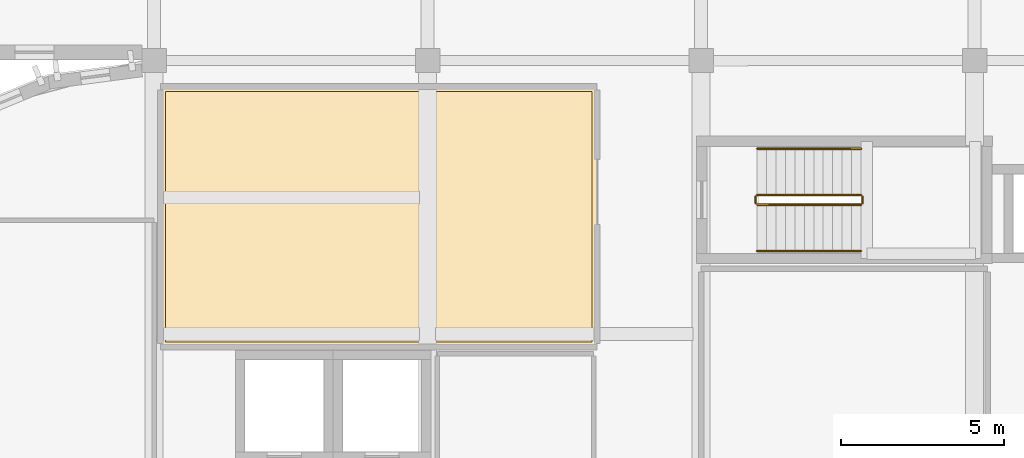
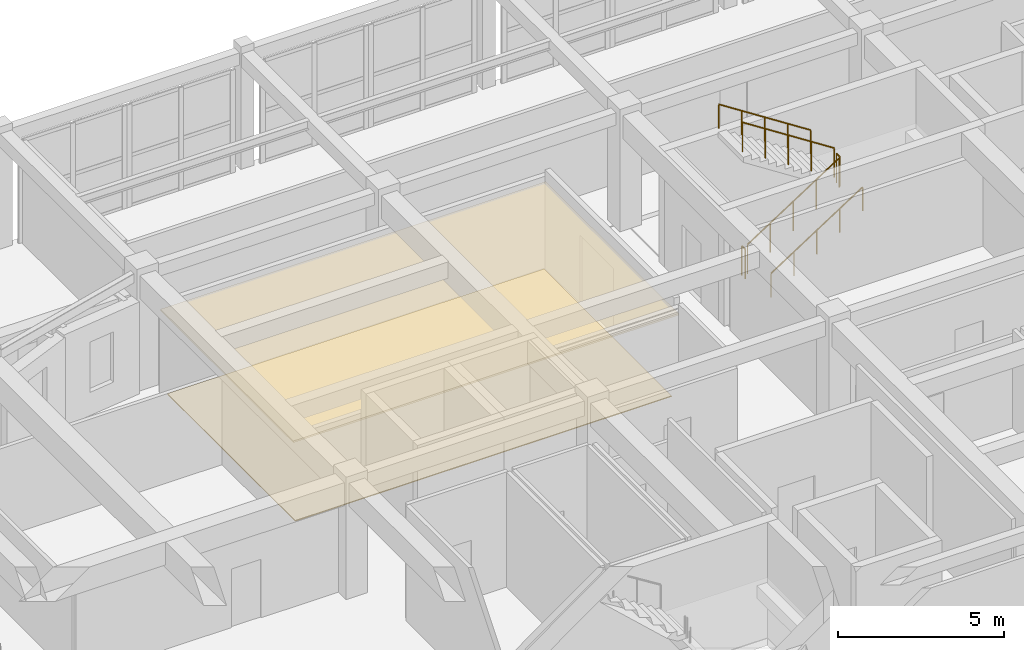
# One storey, part 89 of 91: 6 railings, 2 coverings.
"""IFC4 building model written with IfcOpenShell, lengths in metres."""

from ifc_helpers import new_model, si_unit, direction, frame, origin, origin_2d, place, context, subcontext, project, spatial, polyline, circle, outline, extrude, material, layer, layer_set, type_object, element, save


model = new_model("IFC4")

# Units and contexts
model_context = context("Model", 3, precision=1e-05, world=origin(), true_north=direction((0.0, 1.0)))
body_context = subcontext(model_context, "Body", "Model", "MODEL_VIEW")
ifc_project = project(units=[si_unit("LENGTHUNIT", "METRE"), si_unit("AREAUNIT", "SQUARE_METRE"), si_unit("VOLUMEUNIT", "CUBIC_METRE"), si_unit("PLANEANGLEUNIT", "RADIAN"), si_unit("MASSUNIT", "GRAM", prefix="KILO")], contexts=[model_context])

# Site, building, storey
site_placement = place(None, origin())
site = spatial("IfcSite", under=ifc_project, at=site_placement, CompositionType="ELEMENT")
building_placement = place(site_placement, origin())
building = spatial("IfcBuilding", under=site, at=building_placement, Name="Tarnavel Promenade Courthouse", CompositionType="ELEMENT")
storey_placement = place(building_placement, frame((0.0, 0.0, 9.89990234375)))
storey = spatial("IfcBuildingStorey", under=building, at=storey_placement, Name="L03", CompositionType="ELEMENT", Elevation=9.89990234375)

# Railings
ifc_material_1 = material(Name="Brushed Bronze Tubular Stair Handrail")
railing_type_1 = type_object("IfcRailingType", Name="Brushed Bronze Tubular Stair Handrail (RL-HND-0900)", PredefinedType="HANDRAIL", material=ifc_material_1)
railing_1_placement = place(storey_placement, frame((77.320068359375, 98.550048828125, 0.1875)))
element("IfcRailing", 1, at=railing_1_placement, inside=storey, type_object=railing_type_1, Name="L03 ST-03 stair handrail 1", PredefinedType="HANDRAIL", context=body_context, shape_type="SweptSolid", body=[
    extrude(circle(Radius=0.02392578125, at=origin_2d()), frame((0.0, 0.0, 0.8759765625), z_axis=(0.839759782654, 0.0, 0.542958108362), x_axis=(0.0, 1.0, 0.0)), (0.0, 0.0, 1.0), 3.798583984375),
    extrude(circle(Radius=0.02099609375, at=origin_2d()), origin(), (0.0, 0.0, 1.0), 0.851806640625),
    extrude(circle(Radius=0.02099609375, at=origin_2d()), frame((0.79736328125, 0.0, 0.515625)), (0.0, 0.0, 1.0), 0.851806640625),
    extrude(circle(Radius=0.02099609375, at=origin_2d()), frame((1.594970703125, 0.0, 1.03125)), (0.0, 0.0, 1.0), 0.851806640625),
    extrude(circle(Radius=0.02099609375, at=origin_2d()), frame((2.392578125, 0.0, 1.546875)), (0.0, 0.0, 1.0), 0.851806640625),
    extrude(circle(Radius=0.02099609375, at=origin_2d()), frame((3.18994140625, 0.0, 2.0625)), (0.0, 0.0, 1.0), 0.851806640625),
])
railing_2_placement = place(storey_placement, frame((80.510009765625, 101.68994140625, 2.4375)))
element("IfcRailing", 2, at=railing_2_placement, inside=storey, type_object=railing_type_1, Name="L03 ST-03 stair handrail 2", PredefinedType="HANDRAIL", context=body_context, shape_type="SweptSolid", body=[
    extrude(circle(Radius=0.02392578125, at=origin_2d()), frame((0.0, 0.0, 0.8759765625), z_axis=(-0.839759782654, 0.0, 0.542958108362), x_axis=(0.0, -1.0, 0.0)), (0.0, 0.0, 1.0), 3.798583984375),
    extrude(circle(Radius=0.02099609375, at=origin_2d()), origin(), (0.0, 0.0, 1.0), 0.851806640625),
    extrude(circle(Radius=0.02099609375, at=origin_2d()), frame((-0.79736328125, 0.0, 0.515625)), (0.0, 0.0, 1.0), 0.851806640625),
    extrude(circle(Radius=0.02099609375, at=origin_2d()), frame((-1.594970703125, 0.0, 1.03125)), (0.0, 0.0, 1.0), 0.851806640625),
    extrude(circle(Radius=0.02099609375, at=origin_2d()), frame((-2.392578125, 0.0, 1.546875)), (0.0, 0.0, 1.0), 0.851806640625),
    extrude(circle(Radius=0.02099609375, at=origin_2d()), frame((-3.18994140625, 0.0, 2.0625)), (0.0, 0.0, 1.0), 0.851806640625),
])

# Covering
ifc_material_2 = material(Name="Engineered Smoked Oak Courtroom & Chambers Parquet")
ifc_layer_1 = layer(ifc_material_2, 0.031982421875)
ifc_layer_set_1 = layer_set([ifc_layer_1], Name="Engineered Smoked Oak Courtroom & Chambers Parquet")
covering_type_1 = type_object("IfcCoveringType", Name="Engineered Smoked Oak Courtroom & Chambers Parquet (COV-FLR-OAK-32)", PredefinedType="FLOORING", material=ifc_layer_set_1)
covering_1_placement = place(storey_placement, origin())
element("IfcCovering", 3, at=covering_1_placement, inside=storey, type_object=covering_type_1, Name="L03 High Criminal Hearing Courtroom Architectural Flooring 0023", PredefinedType="FLOORING", context=body_context, shape_type="SweptSolid", body=[
    extrude(outline(polyline([(59.14990234375, 95.75), (72.25, 95.75), (72.25, 103.449951171875), (59.14990234375, 103.449951171875), (59.14990234375, 95.75)])), origin(), (0.0, 0.0, 1.0), 0.031982421875),
])

# Railings
ifc_material_3 = material(Name="Painted Architectural Steel Core Stair Guardrail", Category="steel")
railing_type_2 = type_object("IfcRailingType", Name="Painted Architectural Steel Core Stair Guardrail (RL-GRD-1100)", PredefinedType="GUARDRAIL", material=ifc_material_3)
railing_3_placement = place(storey_placement, frame((77.320068359375, 99.969970703125, 0.1875)))
element("IfcRailing", 4, at=railing_3_placement, inside=storey, type_object=railing_type_2, Name="L03 ST-03 stair guard 1", PredefinedType="GUARDRAIL", context=body_context, shape_type="SweptSolid", body=[
    extrude(circle(Radius=0.02392578125, at=origin_2d()), frame((0.0, 0.0, 1.076171875), z_axis=(0.839759782654, 0.0, 0.542958108362), x_axis=(0.0, 1.0, 0.0)), (0.0, 0.0, 1.0), 3.798583984375),
    extrude(circle(Radius=0.02099609375, at=origin_2d()), origin(), (0.0, 0.0, 1.0), 1.052001953125),
    extrude(circle(Radius=0.02099609375, at=origin_2d()), frame((0.79736328125, 0.0, 0.515625)), (0.0, 0.0, 1.0), 1.052001953125),
    extrude(circle(Radius=0.02099609375, at=origin_2d()), frame((1.594970703125, 0.0, 1.03125)), (0.0, 0.0, 1.0), 1.052001953125),
    extrude(circle(Radius=0.02099609375, at=origin_2d()), frame((2.392578125, 0.0, 1.546875)), (0.0, 0.0, 1.0), 1.052001953125),
    extrude(circle(Radius=0.02099609375, at=origin_2d()), frame((3.18994140625, 0.0, 2.0625)), (0.0, 0.0, 1.0), 1.052001953125),
])
railing_4_placement = place(storey_placement, frame((80.56005859375, 100.02001953125, 2.25)))
element("IfcRailing", 5, at=railing_4_placement, inside=storey, type_object=railing_type_2, Name="L03 ST-03 stair guard 2", PredefinedType="GUARDRAIL", context=body_context, shape_type="SweptSolid", body=[
    extrude(circle(Radius=0.02392578125, at=origin_2d()), frame((0.0, 0.0, 1.076171875), z_axis=(0.0, 1.0, 0.0), x_axis=(-1.0, 0.0, 0.0)), (0.0, 0.0, 1.0), 0.199951171875),
    extrude(circle(Radius=0.02099609375, at=origin_2d()), origin(), (0.0, 0.0, 1.0), 1.052001953125),
    extrude(circle(Radius=0.02099609375, at=origin_2d()), frame((0.0, 0.199951171875, 0.0)), (0.0, 0.0, 1.0), 1.052001953125),
])
railing_5_placement = place(storey_placement, frame((80.510009765625, 100.27001953125, 2.4375)))
element("IfcRailing", 6, at=railing_5_placement, inside=storey, type_object=railing_type_2, Name="L03 ST-03 stair guard 3", PredefinedType="GUARDRAIL", context=body_context, shape_type="SweptSolid", body=[
    extrude(circle(Radius=0.02392578125, at=origin_2d()), frame((0.0, 0.0, 1.076171875), z_axis=(-0.839759782654, 0.0, 0.542958108362), x_axis=(0.0, -1.0, 0.0)), (0.0, 0.0, 1.0), 3.798583984375),
    extrude(circle(Radius=0.02099609375, at=origin_2d()), origin(), (0.0, 0.0, 1.0), 1.052001953125),
    extrude(circle(Radius=0.02099609375, at=origin_2d()), frame((-0.79736328125, 0.0, 0.515625)), (0.0, 0.0, 1.0), 1.052001953125),
    extrude(circle(Radius=0.02099609375, at=origin_2d()), frame((-1.594970703125, 0.0, 1.03125)), (0.0, 0.0, 1.0), 1.052001953125),
    extrude(circle(Radius=0.02099609375, at=origin_2d()), frame((-2.392578125, 0.0, 1.546875)), (0.0, 0.0, 1.0), 1.052001953125),
    extrude(circle(Radius=0.02099609375, at=origin_2d()), frame((-3.18994140625, 0.0, 2.0625)), (0.0, 0.0, 1.0), 1.052001953125),
])
railing_6_placement = place(storey_placement, frame((77.27001953125, 100.02001953125, 0.0)))
element("IfcRailing", 7, at=railing_6_placement, inside=storey, type_object=railing_type_2, Name="L03 ST-03 stair guard 4", PredefinedType="GUARDRAIL", context=body_context, shape_type="SweptSolid", body=[
    extrude(circle(Radius=0.02392578125, at=origin_2d()), frame((0.0, 0.0, 1.076171875), z_axis=(0.0, 1.0, 0.0), x_axis=(-1.0, 0.0, 0.0)), (0.0, 0.0, 1.0), 0.199951171875),
    extrude(circle(Radius=0.02099609375, at=origin_2d()), origin(), (0.0, 0.0, 1.0), 1.052001953125),
    extrude(circle(Radius=0.02099609375, at=origin_2d()), frame((0.0, 0.199951171875, 0.0)), (0.0, 0.0, 1.0), 1.052001953125),
])

# Covering
ifc_material_4 = material(Name="Slatted Acoustic White Oak Baffle Ceiling")
ifc_layer_2 = layer(ifc_material_4, 0.06494140625)
ifc_layer_set_2 = layer_set([ifc_layer_2], Name="Slatted Acoustic White Oak Baffle Ceiling")
covering_type_2 = type_object("IfcCoveringType", Name="Slatted Acoustic White Oak Baffle Ceiling (COV-CLG-OAK-65)", PredefinedType="CEILING", material=ifc_layer_set_2)
covering_2_placement = place(storey_placement, frame((0.0, 0.0, 3.03515625)))
element("IfcCovering", 8, at=covering_2_placement, inside=storey, type_object=covering_type_2, Name="L03 High Criminal Hearing Courtroom Acoustic Ceiling 0023", PredefinedType="CEILING", context=body_context, shape_type="SweptSolid", body=[
    extrude(outline(polyline([(59.0, 95.60009765625), (72.39990234375, 95.60009765625), (72.39990234375, 103.60009765625), (59.0, 103.60009765625), (59.0, 95.60009765625)])), origin(), (0.0, 0.0, 1.0), 0.06494140625),
])

save(model, "model.ifc")
